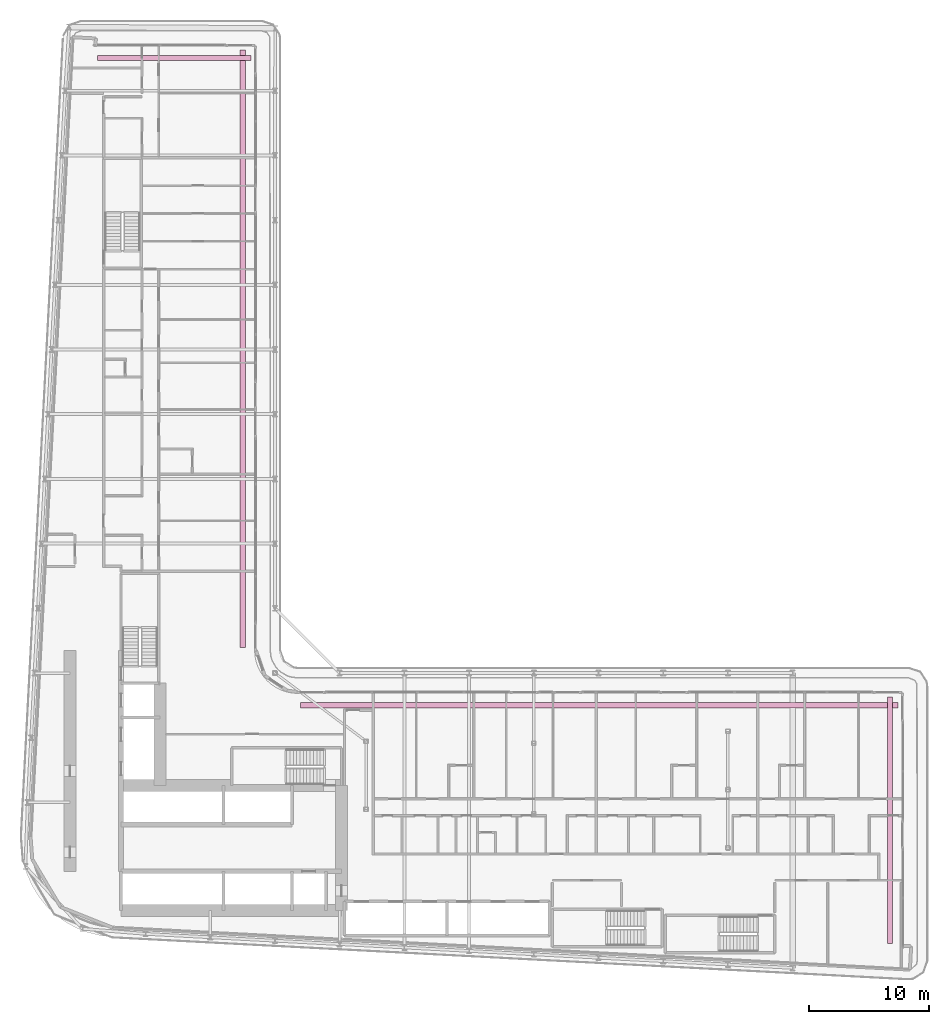
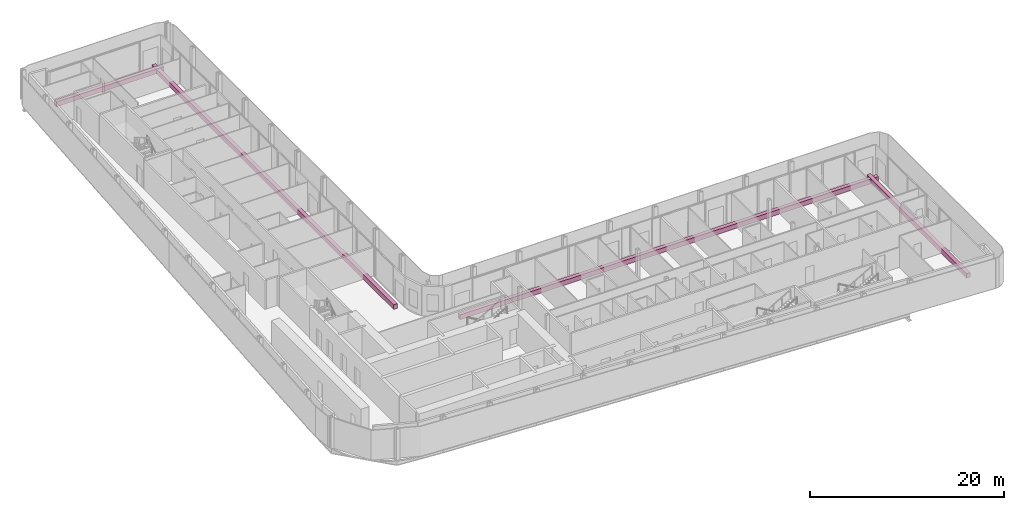
# One storey, part 29 of 29: 4 furniture elements.
"""IFC4 building model written with IfcOpenShell, lengths in metres."""

from ifc_helpers import new_model, si_unit, direction, frame, origin, origin_2d, place, context, subcontext, project, spatial, rectangle, extrude, material, type_object, element, save


model = new_model("IFC4")

# Units and contexts
model_context = context("Model", 3, precision=1e-05, world=origin(), true_north=direction((0.0, 1.0)))
body_context = subcontext(model_context, "Body", "Model", "MODEL_VIEW")
ifc_project = project(units=[si_unit("LENGTHUNIT", "METRE"), si_unit("AREAUNIT", "SQUARE_METRE"), si_unit("VOLUMEUNIT", "CUBIC_METRE"), si_unit("PLANEANGLEUNIT", "RADIAN"), si_unit("MASSUNIT", "GRAM", prefix="KILO")], contexts=[model_context])

# Site, building, storey
site_placement = place(None, origin())
site = spatial("IfcSite", under=ifc_project, at=site_placement, CompositionType="ELEMENT")
building_placement = place(site_placement, origin())
building = spatial("IfcBuilding", under=site, at=building_placement, Name="Kheshtan School and Residences Tower", CompositionType="ELEMENT")
storey_placement = place(building_placement, frame((0.0, 0.0, 69.5)))
storey = spatial("IfcBuildingStorey", under=building, at=storey_placement, Name="L16", CompositionType="ELEMENT", Elevation=69.5)

# Furniture
ifc_material = material(Name="Precast concrete C30/37 in terracotta finish", Category="masonry")
furniture_type = type_object("IfcFurnitureType", Name="Planter trough", AssemblyPlace="NOTDEFINED", PredefinedType="USERDEFINED", material=ifc_material)
furniture_1_placement = place(storey_placement, frame((39.196044921875, 96.925048828125, 0.0), z_axis=(0.0, 0.0, 1.0), x_axis=(1.0, 0.0, 0.0)))
element("IfcFurniture", 1, at=furniture_1_placement, inside=storey, type_object=furniture_type, Name="Planter L16", ObjectType="PLANTER", PredefinedType="USERDEFINED", context=body_context, shape_type="SweptSolid", body=[
    extrude(rectangle(XDim=12.80810546875, YDim=0.449951171875, at=origin_2d()), origin(), (0.0, 0.0, 1.0), 0.60009765625),
])
for number, where, z_axis, x_axis, name in (
    (2, (44.925048828125, 72.6650390625, 0.0), (0.0, 0.0, 1.0), (0.0, -1.0, 0.0), "Planter L16"),
    (3, (74.6650390625, 42.925048828125, 0.0), (0.0, 0.0, 1.0), (1.0, 0.0, 0.0), "Planter L16"),
):
    element("IfcFurniture", number, at=place(storey_placement, frame(where, z_axis=z_axis, x_axis=x_axis)), inside=storey, type_object=furniture_type, Name=name, ObjectType="PLANTER", PredefinedType="USERDEFINED", context=body_context, shape_type="SweptSolid", body=[
        extrude(rectangle(XDim=49.8701171875, YDim=0.449951171875, at=origin_2d()), origin(), (0.0, 0.0, 1.0), 0.60009765625),
    ])
furniture_2_placement = place(storey_placement, frame((98.925048828125, 33.306884765625, 0.0), z_axis=(0.0, 0.0, 1.0), x_axis=(0.0, -1.0, 0.0)))
element("IfcFurniture", 4, at=furniture_2_placement, inside=storey, type_object=furniture_type, Name="Planter L16", ObjectType="PLANTER", PredefinedType="USERDEFINED", context=body_context, shape_type="SweptSolid", body=[
    extrude(rectangle(XDim=20.5859375, YDim=0.449951171875, at=origin_2d()), origin(), (0.0, 0.0, 1.0), 0.60009765625),
])

save(model, "model.ifc")
